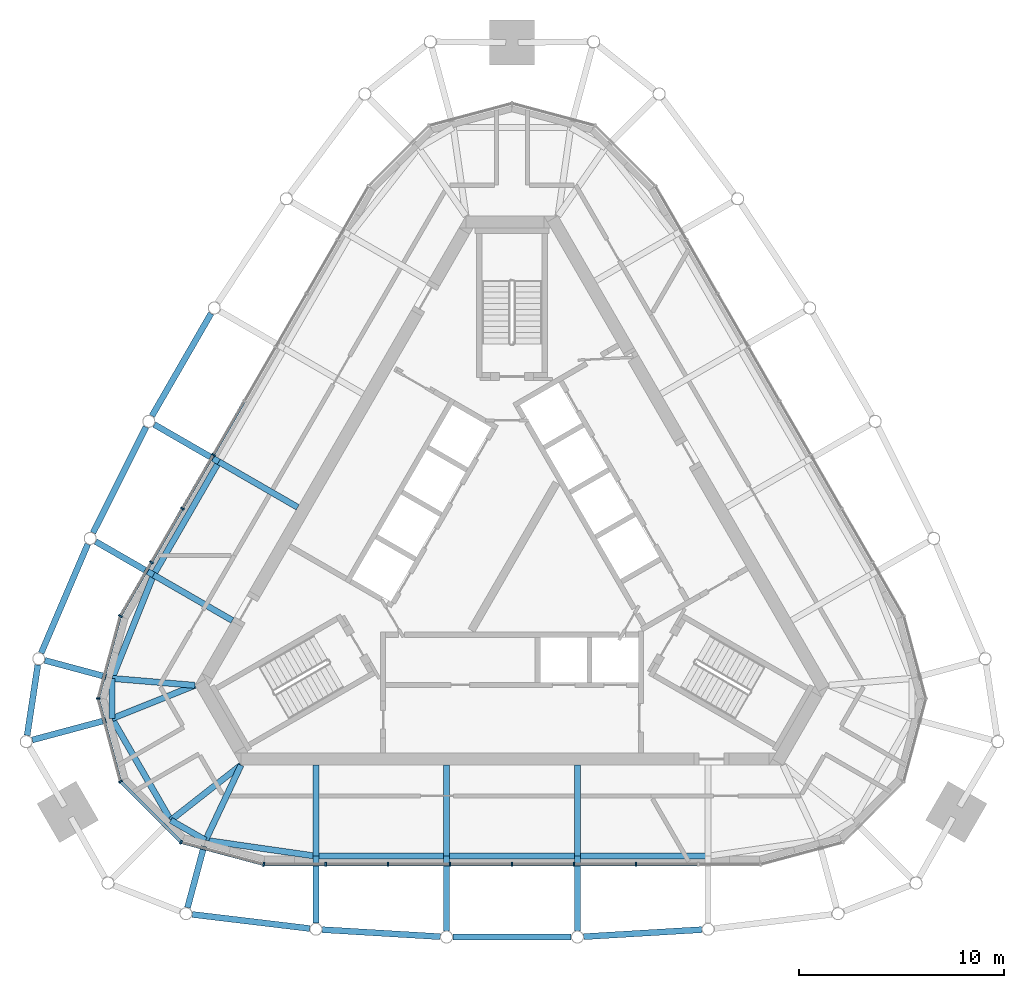
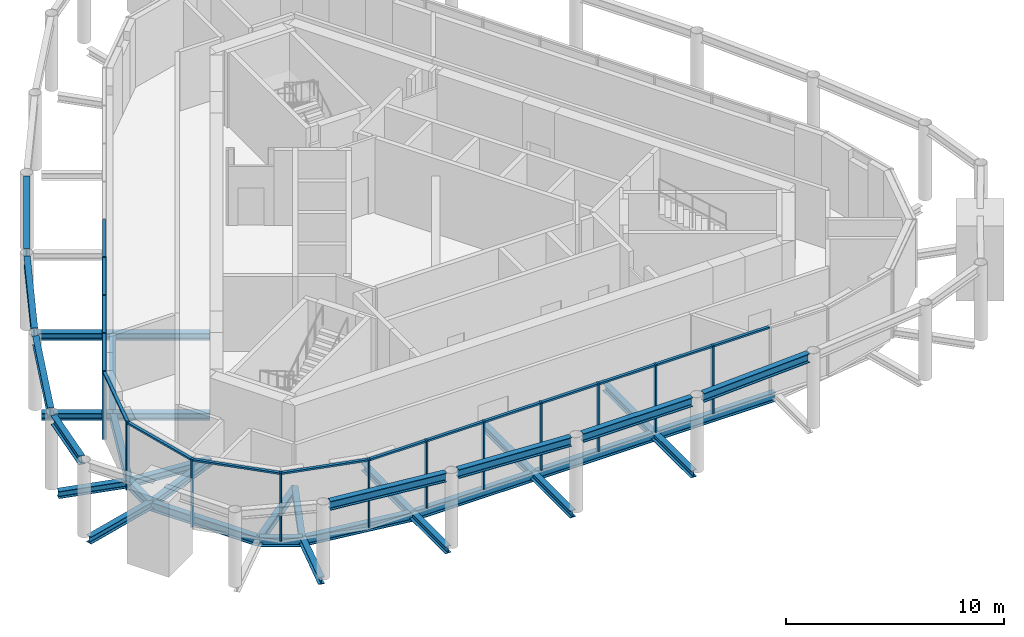
# One storey, part 2 of 11: 34 beams, 29 members, 3 elements without a shape of their own.
"""IFC4 building model written with IfcOpenShell, lengths in metres."""

from ifc_helpers import new_model, si_unit, direction, frame, origin, origin_2d, place, context, subcontext, project, spatial, rectangle, i_section, extrude, material, material_profile, profile_set, type_object, element, aggregate, save


model = new_model("IFC4")

# Units and contexts
model_context = context("Model", 3, precision=1e-05, world=origin(), true_north=direction((0.0, 1.0)))
body_context = subcontext(model_context, "Body", "Model", "MODEL_VIEW")
ifc_project = project(units=[si_unit("LENGTHUNIT", "METRE"), si_unit("AREAUNIT", "SQUARE_METRE"), si_unit("VOLUMEUNIT", "CUBIC_METRE"), si_unit("PLANEANGLEUNIT", "RADIAN"), si_unit("MASSUNIT", "GRAM", prefix="KILO")], contexts=[model_context])

# Site, building, storey
site_placement = place(None, origin())
site = spatial("IfcSite", under=ifc_project, at=site_placement, CompositionType="ELEMENT")
building_placement = place(site_placement, origin())
building = spatial("IfcBuilding", under=site, at=building_placement, Name="Mestral Congress Tower", CompositionType="ELEMENT")
storey_placement = place(building_placement, frame((0.0, 0.0, 344.39990234375)))
storey = spatial("IfcBuildingStorey", under=building, at=storey_placement, Name="L80", CompositionType="ELEMENT", Elevation=344.39990234375)

# Curtain wall, members
ifc_material_1 = material(Name="Glazed ceramic", Category="masonry")
curtain_wall_type = type_object("IfcCurtainWallType", Name="Facade plant louvre screen", PredefinedType="USERDEFINED", material=ifc_material_1)
placement = place(storey_placement, origin())
curtain_wall_1 = element("IfcCurtainWall", 1, at=placement, inside=storey, type_object=curtain_wall_type, Name="Plant louvre screen side 4", ObjectType="CURTAIN WALL", PredefinedType="USERDEFINED")
ifc_material_2 = material(Name="Anodised aluminium", Category="aluminium")
ifc_material_profile_1 = material_profile(ifc_material_2, rectangle(XDim=0.199951171875, YDim=0.080078125, at=origin_2d()), Name="CW6 mullion 200 x 80")
ifc_profile_set_1 = profile_set([ifc_material_profile_1], Name="Anodised aluminium")
member_type_1 = type_object("IfcMemberType", Name="Facade plant louvre screen mullion", PredefinedType="MULLION", material=ifc_profile_set_1)
member_1_placement = place(storey_placement, frame((-14.59423828125, 4.922119140625, 0.0), z_axis=(0.0, 0.0, 1.0), x_axis=(-0.866024531118, 0.500001511499, 0.0)))
member_1 = element("IfcMember", 2, at=member_1_placement, type_object=member_type_1, Name="Facade plant louvre screen mullion", PredefinedType="MULLION", context=body_context, shape_type="SweptSolid", body=[
    extrude(rectangle(XDim=0.199951171875, YDim=0.080078125, at=origin_2d()), origin(), (0.0, 0.0, 1.0), 3.800048828125),
])
member_2_placement = place(storey_placement, frame((-16.111328125, 2.294189453125, 0.0), z_axis=(0.0, 0.0, 1.0), x_axis=(-0.866024531118, 0.500001511499, 0.0)))
member_2 = element("IfcMember", 3, at=member_2_placement, type_object=member_type_1, Name="Facade plant louvre screen mullion", PredefinedType="MULLION", context=body_context, shape_type="SweptSolid", body=[
    extrude(rectangle(XDim=0.199951171875, YDim=0.080078125, at=origin_2d()), origin(), (0.0, 0.0, 1.0), 3.800048828125),
])
member_3_placement = place(storey_placement, frame((-17.628662109375, -0.33349609375, 0.0), z_axis=(0.0, 0.0, 1.0), x_axis=(-0.866024531118, 0.500001511499, 0.0)))
member_3 = element("IfcMember", 4, at=member_3_placement, type_object=member_type_1, Name="Facade plant louvre screen mullion", PredefinedType="MULLION", context=body_context, shape_type="SweptSolid", body=[
    extrude(rectangle(XDim=0.199951171875, YDim=0.080078125, at=origin_2d()), origin(), (0.0, 0.0, 1.0), 3.800048828125),
])
member_4_placement = place(storey_placement, frame((-19.145751953125, -2.96142578125, 0.0), z_axis=(0.0, 0.0, 1.0), x_axis=(-0.866024531118, 0.500001511499, 0.0)))
member_4 = element("IfcMember", 5, at=member_4_placement, type_object=member_type_1, Name="Facade plant louvre screen mullion", PredefinedType="MULLION", context=body_context, shape_type="SweptSolid", body=[
    extrude(rectangle(XDim=0.199951171875, YDim=0.080078125, at=origin_2d()), origin(), (0.0, 0.0, 1.0), 3.800048828125),
])

curtain_wall_2 = element("IfcCurtainWall", 6, at=placement, inside=storey, type_object=curtain_wall_type, Name="Plant louvre screen corner 5", ObjectType="CURTAIN WALL", PredefinedType="USERDEFINED")
member_5_placement = place(storey_placement, frame((-20.227783203125, -7.0, 0.0), z_axis=(0.0, 0.0, 1.0), x_axis=(-1.0, 0.0, 0.0)))
member_5 = element("IfcMember", 7, at=member_5_placement, type_object=member_type_1, Name="Facade plant louvre screen mullion", PredefinedType="MULLION", context=body_context, shape_type="SweptSolid", body=[
    extrude(rectangle(XDim=0.199951171875, YDim=0.080078125, at=origin_2d()), origin(), (0.0, 0.0, 1.0), 3.800048828125),
])
member_6_placement = place(storey_placement, frame((-19.142333984375, -11.0517578125, 0.0), z_axis=(0.0, 0.0, 1.0), x_axis=(-0.866025403784, -0.5, 0.0)))
member_6 = element("IfcMember", 8, at=member_6_placement, type_object=member_type_1, Name="Facade plant louvre screen mullion", PredefinedType="MULLION", context=body_context, shape_type="SweptSolid", body=[
    extrude(rectangle(XDim=0.199951171875, YDim=0.080078125, at=origin_2d()), origin(), (0.0, 0.0, 1.0), 3.800048828125),
])
member_7_placement = place(storey_placement, frame((-16.17626953125, -14.017822265625, 0.0), z_axis=(0.0, 0.0, 1.0), x_axis=(-0.5, -0.866025403784, 0.0)))
member_7 = element("IfcMember", 9, at=member_7_placement, type_object=member_type_1, Name="Facade plant louvre screen mullion", PredefinedType="MULLION", context=body_context, shape_type="SweptSolid", body=[
    extrude(rectangle(XDim=0.199951171875, YDim=0.080078125, at=origin_2d()), origin(), (0.0, 0.0, 1.0), 3.800048828125),
])
member_8_placement = place(storey_placement, frame((-12.1376953125, -15.10009765625, 0.0), z_axis=(0.0, 0.0, 1.0), x_axis=(-0.258819045103, -0.965925826289, 0.0)))
member_8 = element("IfcMember", 10, at=member_8_placement, type_object=member_type_1, Name="Facade plant louvre screen mullion", PredefinedType="MULLION", context=body_context, shape_type="SweptSolid", body=[
    extrude(rectangle(XDim=0.199951171875, YDim=0.080078125, at=origin_2d()), origin(), (0.0, 0.0, 1.0), 3.800048828125),
])

curtain_wall_3 = element("IfcCurtainWall", 11, at=placement, inside=storey, type_object=curtain_wall_type, Name="Plant louvre screen side 6", ObjectType="CURTAIN WALL", PredefinedType="USERDEFINED")
member_9_placement = place(storey_placement, frame((-9.103271484375, -15.10009765625, 0.0), z_axis=(0.0, 0.0, 1.0), x_axis=(0.0, -1.0, 0.0)))
member_9 = element("IfcMember", 12, at=member_9_placement, type_object=member_type_1, Name="Facade plant louvre screen mullion", PredefinedType="MULLION", context=body_context, shape_type="SweptSolid", body=[
    extrude(rectangle(XDim=0.199951171875, YDim=0.080078125, at=origin_2d()), origin(), (0.0, 0.0, 1.0), 3.800048828125),
])
member_10_placement = place(storey_placement, frame((-6.06884765625, -15.10009765625, 0.0), z_axis=(0.0, 0.0, 1.0), x_axis=(0.0, -1.0, 0.0)))
member_10 = element("IfcMember", 13, at=member_10_placement, type_object=member_type_1, Name="Facade plant louvre screen mullion", PredefinedType="MULLION", context=body_context, shape_type="SweptSolid", body=[
    extrude(rectangle(XDim=0.199951171875, YDim=0.080078125, at=origin_2d()), origin(), (0.0, 0.0, 1.0), 3.800048828125),
])
member_11_placement = place(storey_placement, frame((-3.034423828125, -15.10009765625, 0.0), z_axis=(0.0, 0.0, 1.0), x_axis=(0.0, -1.0, 0.0)))
member_11 = element("IfcMember", 14, at=member_11_placement, type_object=member_type_1, Name="Facade plant louvre screen mullion", PredefinedType="MULLION", context=body_context, shape_type="SweptSolid", body=[
    extrude(rectangle(XDim=0.199951171875, YDim=0.080078125, at=origin_2d()), origin(), (0.0, 0.0, 1.0), 3.800048828125),
])
member_12_placement = place(storey_placement, frame((0.0, -15.10009765625, 0.0), z_axis=(0.0, 0.0, 1.0), x_axis=(0.0, -1.0, 0.0)))
member_12 = element("IfcMember", 15, at=member_12_placement, type_object=member_type_1, Name="Facade plant louvre screen mullion", PredefinedType="MULLION", context=body_context, shape_type="SweptSolid", body=[
    extrude(rectangle(XDim=0.199951171875, YDim=0.080078125, at=origin_2d()), origin(), (0.0, 0.0, 1.0), 3.800048828125),
])
member_13_placement = place(storey_placement, frame((3.034423828125, -15.10009765625, 0.0), z_axis=(0.0, 0.0, 1.0), x_axis=(0.0, -1.0, 0.0)))
member_13 = element("IfcMember", 16, at=member_13_placement, type_object=member_type_1, Name="Facade plant louvre screen mullion", PredefinedType="MULLION", context=body_context, shape_type="SweptSolid", body=[
    extrude(rectangle(XDim=0.199951171875, YDim=0.080078125, at=origin_2d()), origin(), (0.0, 0.0, 1.0), 3.800048828125),
])
member_14_placement = place(storey_placement, frame((6.06884765625, -15.10009765625, 0.0), z_axis=(0.0, 0.0, 1.0), x_axis=(0.0, -1.0, 0.0)))
member_14 = element("IfcMember", 17, at=member_14_placement, type_object=member_type_1, Name="Facade plant louvre screen mullion", PredefinedType="MULLION", context=body_context, shape_type="SweptSolid", body=[
    extrude(rectangle(XDim=0.199951171875, YDim=0.080078125, at=origin_2d()), origin(), (0.0, 0.0, 1.0), 3.800048828125),
])

# Member
ifc_material_profile_2 = material_profile(ifc_material_2, rectangle(XDim=0.14990234375, YDim=0.10009765625, at=origin_2d()), Name="CW6 transom 150 x 100")
ifc_profile_set_2 = profile_set([ifc_material_profile_2], Name="Anodised aluminium")
member_type_2 = type_object("IfcMemberType", Name="Facade plant louvre screen transom", PredefinedType="USERDEFINED", material=ifc_profile_set_2)
member_15_placement = place(storey_placement, frame((-13.096923828125, 7.515380859375, 3.75), z_axis=(-0.50002288008, -0.866012193561, 0.0), x_axis=(0.866012193561, -0.50002288008, 0.0)))
member_15 = element("IfcMember", 18, at=member_15_placement, type_object=member_type_2, Name="Facade plant louvre screen transom", ObjectType="TRANSOM", PredefinedType="USERDEFINED", context=body_context, shape_type="SweptSolid", body=[
    extrude(rectangle(XDim=0.14990234375, YDim=0.10009765625, at=origin_2d()), origin(), (0.0, 0.0, 1.0), 2.954345703125),
])

member_16_placement = place(storey_placement, frame((-14.6142578125, 4.887451171875, 3.75), z_axis=(-0.499960902066, -0.86604797581, 0.0), x_axis=(0.86604797581, -0.499960902066, 0.0)))
member_16 = element("IfcMember", 19, at=member_16_placement, type_object=member_type_2, Name="Facade plant louvre screen transom", ObjectType="TRANSOM", PredefinedType="USERDEFINED", context=body_context, shape_type="SweptSolid", body=[
    extrude(rectangle(XDim=0.14990234375, YDim=0.10009765625, at=origin_2d()), origin(), (0.0, 0.0, 1.0), 2.954345703125),
])

member_17_placement = place(storey_placement, frame((-16.13134765625, 2.259765625, 3.75), z_axis=(-0.50002288008, -0.866012193561, 0.0), x_axis=(0.866012193561, -0.50002288008, 0.0)))
member_17 = element("IfcMember", 20, at=member_17_placement, type_object=member_type_2, Name="Facade plant louvre screen transom", ObjectType="TRANSOM", PredefinedType="USERDEFINED", context=body_context, shape_type="SweptSolid", body=[
    extrude(rectangle(XDim=0.14990234375, YDim=0.10009765625, at=origin_2d()), origin(), (0.0, 0.0, 1.0), 2.954345703125),
])

member_18_placement = place(storey_placement, frame((-17.648681640625, -0.3681640625, 3.75), z_axis=(-0.499960902066, -0.86604797581, 0.0), x_axis=(0.86604797581, -0.499960902066, 0.0)))
member_18 = element("IfcMember", 21, at=member_18_placement, type_object=member_type_2, Name="Facade plant louvre screen transom", ObjectType="TRANSOM", PredefinedType="USERDEFINED", context=body_context, shape_type="SweptSolid", body=[
    extrude(rectangle(XDim=0.14990234375, YDim=0.10009765625, at=origin_2d()), origin(), (0.0, 0.0, 1.0), 2.954345703125),
])

aggregate(curtain_wall_1, [member_1, member_2, member_3, member_4, member_15, member_16, member_17, member_18])

member_19_placement = place(storey_placement, frame((-19.156005859375, -3.0, 3.75), z_axis=(-0.258833286133, -0.965922010304, 0.0), x_axis=(0.965922010304, -0.258833286133, 0.0)))
member_19 = element("IfcMember", 22, at=member_19_placement, type_object=member_type_2, Name="Facade plant louvre screen transom", ObjectType="TRANSOM", PredefinedType="USERDEFINED", context=body_context, shape_type="SweptSolid", body=[
    extrude(rectangle(XDim=0.14990234375, YDim=0.10009765625, at=origin_2d()), origin(), (0.0, 0.0, 1.0), 4.10107421875),
])

member_20_placement = place(storey_placement, frame((-20.217529296875, -7.03857421875, 3.75), z_axis=(0.258807262034, -0.965928983476, 0.0), x_axis=(0.965928983476, 0.258807262034, 0.0)))
member_20 = element("IfcMember", 23, at=member_20_placement, type_object=member_type_2, Name="Facade plant louvre screen transom", ObjectType="TRANSOM", PredefinedType="USERDEFINED", context=body_context, shape_type="SweptSolid", body=[
    extrude(rectangle(XDim=0.14990234375, YDim=0.10009765625, at=origin_2d()), origin(), (0.0, 0.0, 1.0), 4.11474609375),
])

member_21_placement = place(storey_placement, frame((-19.114013671875, -11.080078125, 3.75), z_axis=(0.707136447306, -0.707077113823, 0.0), x_axis=(0.707077113823, 0.707136447306, 0.0)))
member_21 = element("IfcMember", 24, at=member_21_placement, type_object=member_type_2, Name="Facade plant louvre screen transom", ObjectType="TRANSOM", PredefinedType="USERDEFINED", context=body_context, shape_type="SweptSolid", body=[
    extrude(rectangle(XDim=0.14990234375, YDim=0.10009765625, at=origin_2d()), origin(), (0.0, 0.0, 1.0), 4.11474609375),
])

member_22_placement = place(storey_placement, frame((-16.137451171875, -14.0283203125, 3.75), z_axis=(0.965932905177, -0.258792624888, 0.0), x_axis=(0.258792624888, 0.965932905177, 0.0)))
member_22 = element("IfcMember", 25, at=member_22_placement, type_object=member_type_2, Name="Facade plant louvre screen transom", ObjectType="TRANSOM", PredefinedType="USERDEFINED", context=body_context, shape_type="SweptSolid", body=[
    extrude(rectangle(XDim=0.14990234375, YDim=0.10009765625, at=origin_2d()), origin(), (0.0, 0.0, 1.0), 4.100830078125),
])

aggregate(curtain_wall_2, [member_5, member_6, member_7, member_8, member_19, member_20, member_21, member_22])

member_23_placement = place(storey_placement, frame((-12.09765625, -15.10009765625, 3.75), z_axis=(1.0, 0.0, 0.0), x_axis=(0.0, 1.0, 0.0)))
member_23 = element("IfcMember", 26, at=member_23_placement, type_object=member_type_2, Name="Facade plant louvre screen transom", ObjectType="TRANSOM", PredefinedType="USERDEFINED", context=body_context, shape_type="SweptSolid", body=[
    extrude(rectangle(XDim=0.14990234375, YDim=0.10009765625, at=origin_2d()), origin(), (0.0, 0.0, 1.0), 2.954345703125),
])

member_24_placement = place(storey_placement, frame((-9.063232421875, -15.10009765625, 3.75), z_axis=(1.0, 0.0, 0.0), x_axis=(0.0, 1.0, 0.0)))
member_24 = element("IfcMember", 27, at=member_24_placement, type_object=member_type_2, Name="Facade plant louvre screen transom", ObjectType="TRANSOM", PredefinedType="USERDEFINED", context=body_context, shape_type="SweptSolid", body=[
    extrude(rectangle(XDim=0.14990234375, YDim=0.10009765625, at=origin_2d()), origin(), (0.0, 0.0, 1.0), 2.954345703125),
])

member_25_placement = place(storey_placement, frame((-6.02880859375, -15.10009765625, 3.75), z_axis=(1.0, 0.0, 0.0), x_axis=(0.0, 1.0, 0.0)))
member_25 = element("IfcMember", 28, at=member_25_placement, type_object=member_type_2, Name="Facade plant louvre screen transom", ObjectType="TRANSOM", PredefinedType="USERDEFINED", context=body_context, shape_type="SweptSolid", body=[
    extrude(rectangle(XDim=0.14990234375, YDim=0.10009765625, at=origin_2d()), origin(), (0.0, 0.0, 1.0), 2.954345703125),
])

member_26_placement = place(storey_placement, frame((-2.994384765625, -15.10009765625, 3.75), z_axis=(1.0, 0.0, 0.0), x_axis=(0.0, 1.0, 0.0)))
member_26 = element("IfcMember", 29, at=member_26_placement, type_object=member_type_2, Name="Facade plant louvre screen transom", ObjectType="TRANSOM", PredefinedType="USERDEFINED", context=body_context, shape_type="SweptSolid", body=[
    extrude(rectangle(XDim=0.14990234375, YDim=0.10009765625, at=origin_2d()), origin(), (0.0, 0.0, 1.0), 2.954345703125),
])

member_27_placement = place(storey_placement, frame((0.0400390625, -15.10009765625, 3.75), z_axis=(1.0, 0.0, 0.0), x_axis=(0.0, 1.0, 0.0)))
member_27 = element("IfcMember", 30, at=member_27_placement, type_object=member_type_2, Name="Facade plant louvre screen transom", ObjectType="TRANSOM", PredefinedType="USERDEFINED", context=body_context, shape_type="SweptSolid", body=[
    extrude(rectangle(XDim=0.14990234375, YDim=0.10009765625, at=origin_2d()), origin(), (0.0, 0.0, 1.0), 2.954345703125),
])

member_28_placement = place(storey_placement, frame((3.074462890625, -15.10009765625, 3.75), z_axis=(1.0, 0.0, 0.0), x_axis=(0.0, 1.0, 0.0)))
member_28 = element("IfcMember", 31, at=member_28_placement, type_object=member_type_2, Name="Facade plant louvre screen transom", ObjectType="TRANSOM", PredefinedType="USERDEFINED", context=body_context, shape_type="SweptSolid", body=[
    extrude(rectangle(XDim=0.14990234375, YDim=0.10009765625, at=origin_2d()), origin(), (0.0, 0.0, 1.0), 2.954345703125),
])

member_29_placement = place(storey_placement, frame((6.10888671875, -15.10009765625, 3.75), z_axis=(1.0, 0.0, 0.0), x_axis=(0.0, 1.0, 0.0)))
member_29 = element("IfcMember", 32, at=member_29_placement, type_object=member_type_2, Name="Facade plant louvre screen transom", ObjectType="TRANSOM", PredefinedType="USERDEFINED", context=body_context, shape_type="SweptSolid", body=[
    extrude(rectangle(XDim=0.14990234375, YDim=0.10009765625, at=origin_2d()), origin(), (0.0, 0.0, 1.0), 2.954345703125),
])

aggregate(curtain_wall_3, [member_9, member_10, member_11, member_12, member_13, member_14, member_23, member_24, member_25, member_26, member_27, member_28, member_29])

# Beams
ifc_material_3 = material(Name="Steel S355", Category="steel")
ifc_material_profile_3 = material_profile(ifc_material_3, i_section(OverallWidth=0.300048828125, OverallDepth=0.39990234375, WebThickness=0.013427734375, FlangeThickness=0.02392578125, FilletRadius=0.027099609375, at=origin_2d()), Name="HEB 400")
ifc_profile_set_3 = profile_set([ifc_material_profile_3], Name="Steel S355")
beam_type_1 = type_object("IfcBeamType", Name="Floor beam HEB 400 S355", PredefinedType="BEAM", material=ifc_profile_set_3)
for number, where, z_axis, x_axis, name in (
    (33, (3.199462890625, -10.25, -0.449951171875), (0.0, -1.0, 0.0), (1.0, 0.0, 0.0), "BM-L80-KR01"),
    (34, (-3.199462890625, -10.25, -0.449951171875), (0.0, -1.0, 0.0), (1.0, 0.0, 0.0), "BM-L80-KR02"),
    (35, (-9.587158203125, -10.25, -0.449951171875), (0.0, -1.0, 0.0), (1.0, 0.0, 0.0), "BM-L80-KR03"),
):
    element("IfcBeam", number, at=place(storey_placement, frame(where, z_axis=z_axis, x_axis=x_axis)), inside=storey, type_object=beam_type_1, Name=name, PredefinedType="BEAM", context=body_context, shape_type="SweptSolid", body=[
        extrude(i_section(OverallWidth=0.300048828125, OverallDepth=0.39990234375, WebThickness=0.013427734375, FlangeThickness=0.02392578125, FilletRadius=0.027099609375, at=origin_2d()), origin(), (0.0, 0.0, 1.0), 4.449951171875),
    ])
beam_1_placement = place(storey_placement, frame((-13.250244140625, -10.25, -0.449951171875), z_axis=(-0.425828884258, -0.904803714256, 0.0), x_axis=(0.904803714256, -0.425828884258, 0.0)))
element("IfcBeam", 36, at=beam_1_placement, inside=storey, type_object=beam_type_1, Name="BM-L80-KR04", PredefinedType="BEAM", context=body_context, shape_type="SweptSolid", body=[
    extrude(i_section(OverallWidth=0.300048828125, OverallDepth=0.39990234375, WebThickness=0.013427734375, FlangeThickness=0.02392578125, FilletRadius=0.027099609375, at=origin_2d()), origin(), (0.0, 0.0, 1.0), 4.060791015625),
])
for number, where, z_axis, x_axis, name in (
    (37, (-13.250244140625, -10.25, -0.449951171875), (-0.786533746493, -0.617547298292, 0.0), (0.617547298292, -0.786533746493, 0.0), "BM-L80-KR05"),
    (38, (-15.501953125, -6.35009765625, -0.449951171875), (-0.928078801871, -0.372383857757, 0.0), (0.372383857757, -0.928078801871, 0.0), "BM-L80-KR06"),
):
    element("IfcBeam", number, at=place(storey_placement, frame(where, z_axis=z_axis, x_axis=x_axis)), inside=storey, type_object=beam_type_1, Name=name, PredefinedType="BEAM", context=body_context, shape_type="SweptSolid", body=[
        extrude(i_section(OverallWidth=0.300048828125, OverallDepth=0.39990234375, WebThickness=0.013427734375, FlangeThickness=0.02392578125, FilletRadius=0.027099609375, at=origin_2d()), origin(), (0.0, 0.0, 1.0), 4.364501953125),
    ])
beam_2_placement = place(storey_placement, frame((-15.501953125, -6.35009765625, -0.449951171875), z_axis=(-0.996497077205, 0.083627597852, 0.0), x_axis=(-0.083627597852, -0.996497077205, 0.0)))
element("IfcBeam", 39, at=beam_2_placement, inside=storey, type_object=beam_type_1, Name="BM-L80-KR07", PredefinedType="BEAM", context=body_context, shape_type="SweptSolid", body=[
    extrude(i_section(OverallWidth=0.300048828125, OverallDepth=0.39990234375, WebThickness=0.013427734375, FlangeThickness=0.02392578125, FilletRadius=0.027099609375, at=origin_2d()), origin(), (0.0, 0.0, 1.0), 4.060791015625),
])
for number, where, z_axis, x_axis, name in (
    (40, (-13.67041015625, -3.177734375, -0.449951171875), (-0.866012907634, 0.500021643343, 0.0), (-0.500021643343, -0.866012907634, 0.0), "BM-L80-KR08"),
    (41, (-10.4765625, 2.35400390625, -0.449951171875), (-0.866012907634, 0.500021643343, 0.0), (-0.500021643343, -0.866012907634, 0.0), "BM-L80-KR09"),
):
    element("IfcBeam", number, at=place(storey_placement, frame(where, z_axis=z_axis, x_axis=x_axis)), inside=storey, type_object=beam_type_1, Name=name, PredefinedType="BEAM", context=body_context, shape_type="SweptSolid", body=[
        extrude(i_section(OverallWidth=0.300048828125, OverallDepth=0.39990234375, WebThickness=0.013427734375, FlangeThickness=0.02392578125, FilletRadius=0.027099609375, at=origin_2d()), origin(), (0.0, 0.0, 1.0), 4.449951171875),
    ])
for number, where, z_axis, x_axis, name in (
    (42, (3.199462890625, -18.35009765625, -0.449951171875), (0.0, 1.0, 0.0), (-1.0, 0.0, 0.0), "BM-L80-KT-C5-S03"),
    (43, (-3.199462890625, -18.35009765625, -0.449951171875), (0.0, 1.0, 0.0), (-1.0, 0.0, 0.0), "BM-L80-KT-C5-S02"),
):
    element("IfcBeam", number, at=place(storey_placement, frame(where, z_axis=z_axis, x_axis=x_axis)), inside=storey, type_object=beam_type_1, Name=name, PredefinedType="BEAM", context=body_context, shape_type="SweptSolid", body=[
        extrude(i_section(OverallWidth=0.300048828125, OverallDepth=0.39990234375, WebThickness=0.013427734375, FlangeThickness=0.02392578125, FilletRadius=0.027099609375, at=origin_2d()), origin(), (0.0, 0.0, 1.0), 3.650146484375),
    ])
beam_3_placement = place(storey_placement, frame((-9.587158203125, -17.96875, -0.449951171875), z_axis=(0.0, 1.0, 0.0), x_axis=(-1.0, 0.0, 0.0)))
element("IfcBeam", 44, at=beam_3_placement, inside=storey, type_object=beam_type_1, Name="BM-L80-KT-C5-S01", PredefinedType="BEAM", context=body_context, shape_type="SweptSolid", body=[
    extrude(i_section(OverallWidth=0.300048828125, OverallDepth=0.39990234375, WebThickness=0.013427734375, FlangeThickness=0.02392578125, FilletRadius=0.027099609375, at=origin_2d()), origin(), (0.0, 0.0, 1.0), 3.268798828125),
])
beam_4_placement = place(storey_placement, frame((-15.86181640625, -17.21728515625, -0.449951171875), z_axis=(0.258812449793, 0.965927593473, 0.0), x_axis=(-0.965927593473, 0.258812449793, 0.0)))
element("IfcBeam", 45, at=beam_4_placement, inside=storey, type_object=beam_type_1, Name="BM-L80-KT-C5-S00", PredefinedType="BEAM", context=body_context, shape_type="SweptSolid", body=[
    extrude(i_section(OverallWidth=0.300048828125, OverallDepth=0.39990234375, WebThickness=0.013427734375, FlangeThickness=0.02392578125, FilletRadius=0.027099609375, at=origin_2d()), origin(), (0.0, 0.0, 1.0), 3.4091796875),
])
beam_5_placement = place(storey_placement, frame((-23.453369140625, -9.0205078125, -0.449951171875), z_axis=(0.965930242246, 0.258802563966, 0.0), x_axis=(-0.258802563966, 0.965930242246, 0.0)))
element("IfcBeam", 46, at=beam_5_placement, inside=storey, type_object=beam_type_1, Name="BM-L80-KT-C5-SW1", PredefinedType="BEAM", context=body_context, shape_type="SweptSolid", body=[
    extrude(i_section(OverallWidth=0.300048828125, OverallDepth=0.39990234375, WebThickness=0.013427734375, FlangeThickness=0.02392578125, FilletRadius=0.027099609375, at=origin_2d()), origin(), (0.0, 0.0, 1.0), 4.03857421875),
])
beam_6_placement = place(storey_placement, frame((-22.841552734375, -5.1279296875, -0.449951171875), z_axis=(0.965909688455, -0.258879264811, 0.0), x_axis=(0.258879264811, 0.965909688455, 0.0)))
element("IfcBeam", 47, at=beam_6_placement, inside=storey, type_object=beam_type_1, Name="BM-L80-KT-C5-W05", PredefinedType="BEAM", context=body_context, shape_type="SweptSolid", body=[
    extrude(i_section(OverallWidth=0.300048828125, OverallDepth=0.39990234375, WebThickness=0.013427734375, FlangeThickness=0.02392578125, FilletRadius=0.027099609375, at=origin_2d()), origin(), (0.0, 0.0, 1.0), 3.4091796875),
])
beam_7_placement = place(storey_placement, frame((-20.35498046875, 0.681640625, -0.449951171875), z_axis=(0.86603757612, -0.499978916304, 0.0), x_axis=(0.499978916304, 0.86603757612, 0.0)))
element("IfcBeam", 48, at=beam_7_placement, inside=storey, type_object=beam_type_1, Name="BM-L80-KT-C5-W04", PredefinedType="BEAM", context=body_context, shape_type="SweptSolid", body=[
    extrude(i_section(OverallWidth=0.300048828125, OverallDepth=0.39990234375, WebThickness=0.013427734375, FlangeThickness=0.02392578125, FilletRadius=0.027099609375, at=origin_2d()), origin(), (0.0, 0.0, 1.0), 3.268798828125),
])
beam_8_placement = place(storey_placement, frame((-17.49169921875, 6.404296875, -0.449951171875), z_axis=(0.866028549844, -0.499994550825, 0.0), x_axis=(0.499994550825, 0.866028549844, 0.0)))
element("IfcBeam", 49, at=beam_8_placement, inside=storey, type_object=beam_type_1, Name="BM-L80-KT-C5-W03", PredefinedType="BEAM", context=body_context, shape_type="SweptSolid", body=[
    extrude(i_section(OverallWidth=0.300048828125, OverallDepth=0.39990234375, WebThickness=0.013427734375, FlangeThickness=0.02392578125, FilletRadius=0.027099609375, at=origin_2d()), origin(), (0.0, 0.0, 1.0), 3.650390625),
])
ifc_material_profile_4 = material_profile(ifc_material_3, i_section(OverallWidth=0.300048828125, OverallDepth=0.5, WebThickness=0.014404296875, FlangeThickness=0.028076171875, FilletRadius=0.027099609375, at=origin_2d()), Name="HEB 500")
ifc_profile_set_4 = profile_set([ifc_material_profile_4], Name="Steel S355")
beam_type_2 = type_object("IfcBeamType", Name="Floor beam HEB 500 S355", PredefinedType="BEAM", material=ifc_profile_set_4)
beam_9_placement = place(storey_placement, frame((9.587158203125, -14.699951171875, -0.5), z_axis=(-1.0, 0.0, 0.0), x_axis=(0.0, -1.0, 0.0)))
element("IfcBeam", 50, at=beam_9_placement, inside=storey, type_object=beam_type_2, Name="BM-L80-KG00", PredefinedType="BEAM", context=body_context, shape_type="SweptSolid", body=[
    extrude(i_section(OverallWidth=0.300048828125, OverallDepth=0.5, WebThickness=0.014404296875, FlangeThickness=0.028076171875, FilletRadius=0.027099609375, at=origin_2d()), origin(), (0.0, 0.0, 1.0), 6.3876953125),
])
beam_10_placement = place(storey_placement, frame((3.199462890625, -14.699951171875, -0.5), z_axis=(-1.0, 0.0, 0.0), x_axis=(0.0, -1.0, 0.0)))
element("IfcBeam", 51, at=beam_10_placement, inside=storey, type_object=beam_type_2, Name="BM-L80-KG01", PredefinedType="BEAM", context=body_context, shape_type="SweptSolid", body=[
    extrude(i_section(OverallWidth=0.300048828125, OverallDepth=0.5, WebThickness=0.014404296875, FlangeThickness=0.028076171875, FilletRadius=0.027099609375, at=origin_2d()), origin(), (0.0, 0.0, 1.0), 6.39892578125),
])
beam_11_placement = place(storey_placement, frame((-3.199462890625, -14.699951171875, -0.5), z_axis=(-1.0, 0.0, 0.0), x_axis=(0.0, -1.0, 0.0)))
element("IfcBeam", 52, at=beam_11_placement, inside=storey, type_object=beam_type_2, Name="BM-L80-KG02", PredefinedType="BEAM", context=body_context, shape_type="SweptSolid", body=[
    extrude(i_section(OverallWidth=0.300048828125, OverallDepth=0.5, WebThickness=0.014404296875, FlangeThickness=0.028076171875, FilletRadius=0.027099609375, at=origin_2d()), origin(), (0.0, 0.0, 1.0), 6.3876953125),
])
beam_12_placement = place(storey_placement, frame((-9.587158203125, -14.699951171875, -0.5), z_axis=(-0.989812798939, 0.1423749383, 0.0), x_axis=(-0.1423749383, -0.989812798939, 0.0)))
element("IfcBeam", 53, at=beam_12_placement, inside=storey, type_object=beam_type_2, Name="BM-L80-KG03", PredefinedType="BEAM", context=body_context, shape_type="SweptSolid", body=[
    extrude(i_section(OverallWidth=0.300048828125, OverallDepth=0.5, WebThickness=0.014404296875, FlangeThickness=0.028076171875, FilletRadius=0.027099609375, at=origin_2d()), origin(), (0.0, 0.0, 1.0), 5.44775390625),
])
beam_13_placement = place(storey_placement, frame((-14.9794921875, -13.92431640625, -0.5), z_axis=(-0.86703245351, 0.498251667895, 0.0), x_axis=(-0.498251667895, -0.86703245351, 0.0)))
element("IfcBeam", 54, at=beam_13_placement, inside=storey, type_object=beam_type_2, Name="BM-L80-KG04", PredefinedType="BEAM", context=body_context, shape_type="SweptSolid", body=[
    extrude(i_section(OverallWidth=0.300048828125, OverallDepth=0.5, WebThickness=0.014404296875, FlangeThickness=0.028076171875, FilletRadius=0.027099609375, at=origin_2d()), origin(), (0.0, 0.0, 1.0), 1.96484375),
])
beam_14_placement = place(storey_placement, frame((-16.68310546875, -12.9453125, -0.5), z_axis=(-0.499996189405, 0.866027603821, 0.0), x_axis=(-0.866027603821, -0.499996189405, 0.0)))
element("IfcBeam", 55, at=beam_14_placement, inside=storey, type_object=beam_type_2, Name="BM-L80-KG05", PredefinedType="BEAM", context=body_context, shape_type="SweptSolid", body=[
    extrude(i_section(OverallWidth=0.300048828125, OverallDepth=0.5, WebThickness=0.014404296875, FlangeThickness=0.028076171875, FilletRadius=0.027099609375, at=origin_2d()), origin(), (0.0, 0.0, 1.0), 5.73876953125),
])
beam_15_placement = place(storey_placement, frame((-19.552490234375, -7.975341796875, -0.5), z_axis=(0.001988067642, 0.999998023792, 0.0), x_axis=(-0.999998023792, 0.001988067642, 0.0)))
element("IfcBeam", 56, at=beam_15_placement, inside=storey, type_object=beam_type_2, Name="BM-L80-KG06", PredefinedType="BEAM", context=body_context, shape_type="SweptSolid", body=[
    extrude(i_section(OverallWidth=0.300048828125, OverallDepth=0.5, WebThickness=0.014404296875, FlangeThickness=0.028076171875, FilletRadius=0.027099609375, at=origin_2d()), origin(), (0.0, 0.0, 1.0), 1.96484375),
])
beam_16_placement = place(storey_placement, frame((-19.548583984375, -6.010498046875, -0.5), z_axis=(0.37159155469, 0.928396314341, 0.0), x_axis=(-0.928396314341, 0.37159155469, 0.0)))
element("IfcBeam", 57, at=beam_16_placement, inside=storey, type_object=beam_type_2, Name="BM-L80-KG07", PredefinedType="BEAM", context=body_context, shape_type="SweptSolid", body=[
    extrude(i_section(OverallWidth=0.300048828125, OverallDepth=0.5, WebThickness=0.014404296875, FlangeThickness=0.028076171875, FilletRadius=0.027099609375, at=origin_2d()), origin(), (0.0, 0.0, 1.0), 5.447998046875),
])
beam_17_placement = place(storey_placement, frame((-17.524169921875, -0.95263671875, -0.5), z_axis=(0.500011397576, 0.866018823291, 0.0), x_axis=(-0.866018823291, 0.500011397576, 0.0)))
element("IfcBeam", 58, at=beam_17_placement, inside=storey, type_object=beam_type_2, Name="BM-L80-KG08", PredefinedType="BEAM", context=body_context, shape_type="SweptSolid", body=[
    extrude(i_section(OverallWidth=0.300048828125, OverallDepth=0.5, WebThickness=0.014404296875, FlangeThickness=0.028076171875, FilletRadius=0.027099609375, at=origin_2d()), origin(), (0.0, 0.0, 1.0), 6.387451171875),
])
beam_18_placement = place(storey_placement, frame((-15.637939453125, -17.548095703125, 3.9501953125), z_axis=(0.992888208322, -0.119050433745, 0.0), x_axis=(0.119050433745, 0.992888208322, 0.0)))
element("IfcBeam", 59, at=beam_18_placement, inside=storey, type_object=beam_type_2, Name="BM-L80-KRIM00", PredefinedType="BEAM", context=body_context, shape_type="SweptSolid", body=[
    extrude(i_section(OverallWidth=0.300048828125, OverallDepth=0.5, WebThickness=0.014404296875, FlangeThickness=0.028076171875, FilletRadius=0.027099609375, at=origin_2d()), origin(), (0.0, 0.0, 1.0), 5.789306640625),
])
for number, where, z_axis, x_axis, name in (
    (60, (-9.28271484375, -18.2919921875, 3.9501953125), (0.998222952781, -0.059589735204, 0.0), (0.059589735204, 0.998222952781, 0.0), "BM-L80-KRIM01"),
    (61, (-2.89453125, -18.6552734375, 3.9501953125), (1.0, 0.0, 0.0), (0.0, 1.0, 0.0), "BM-L80-KRIM02"),
    (62, (3.50390625, -18.636962890625, 3.9501953125), (0.998222952781, 0.059589735204, 0.0), (-0.059589735204, 0.998222952781, 0.0), "BM-L80-KRIM03"),
):
    element("IfcBeam", number, at=place(storey_placement, frame(where, z_axis=z_axis, x_axis=x_axis)), inside=storey, type_object=beam_type_2, Name=name, PredefinedType="BEAM", context=body_context, shape_type="SweptSolid", body=[
        extrude(i_section(OverallWidth=0.300048828125, OverallDepth=0.5, WebThickness=0.014404296875, FlangeThickness=0.028076171875, FilletRadius=0.027099609375, at=origin_2d()), origin(), (0.0, 0.0, 1.0), 5.7890625),
    ])
beam_19_placement = place(storey_placement, frame((-14.70849609375, 11.83447265625, 3.9501953125), z_axis=(-0.500016916811, -0.866015636639, 0.0), x_axis=(0.866015636639, -0.500016916811, 0.0)))
element("IfcBeam", 63, at=beam_19_placement, inside=storey, type_object=beam_type_2, Name="BM-L80-KRIM20", PredefinedType="BEAM", context=body_context, shape_type="SweptSolid", body=[
    extrude(i_section(OverallWidth=0.300048828125, OverallDepth=0.5, WebThickness=0.014404296875, FlangeThickness=0.028076171875, FilletRadius=0.027099609375, at=origin_2d()), origin(), (0.0, 0.0, 1.0), 5.789306640625),
])
beam_20_placement = place(storey_placement, frame((-17.89208984375, 6.283935546875, 3.9501953125), z_axis=(-0.447466621875, -0.894300633069, 0.0), x_axis=(0.894300633069, -0.447466621875, 0.0)))
element("IfcBeam", 64, at=beam_20_placement, inside=storey, type_object=beam_type_2, Name="BM-L80-KRIM21", PredefinedType="BEAM", context=body_context, shape_type="SweptSolid", body=[
    extrude(i_section(OverallWidth=0.300048828125, OverallDepth=0.5, WebThickness=0.014404296875, FlangeThickness=0.028076171875, FilletRadius=0.027099609375, at=origin_2d()), origin(), (0.0, 0.0, 1.0), 5.788818359375),
])
beam_21_placement = place(storey_placement, frame((-20.739013671875, 0.5537109375, 3.9501953125), z_axis=(-0.393338990437, -0.919393516728, 0.0), x_axis=(0.919393516728, -0.393338990437, 0.0)))
element("IfcBeam", 65, at=beam_21_placement, inside=storey, type_object=beam_type_2, Name="BM-L80-KRIM22", PredefinedType="BEAM", context=body_context, shape_type="SweptSolid", body=[
    extrude(i_section(OverallWidth=0.300048828125, OverallDepth=0.5, WebThickness=0.014404296875, FlangeThickness=0.028076171875, FilletRadius=0.027099609375, at=origin_2d()), origin(), (0.0, 0.0, 1.0), 5.7890625),
])
beam_22_placement = place(storey_placement, frame((-23.181640625, -5.3505859375, 3.9501953125), z_axis=(-0.149367664353, -0.988781725582, 0.0), x_axis=(0.988781725582, -0.149367664353, 0.0)))
element("IfcBeam", 66, at=beam_22_placement, inside=storey, type_object=beam_type_2, Name="BM-L80-KRIM23", PredefinedType="BEAM", context=body_context, shape_type="SweptSolid", body=[
    extrude(i_section(OverallWidth=0.300048828125, OverallDepth=0.5, WebThickness=0.014404296875, FlangeThickness=0.028076171875, FilletRadius=0.027099609375, at=origin_2d()), origin(), (0.0, 0.0, 1.0), 3.486328125),
])

save(model, "model.ifc")
